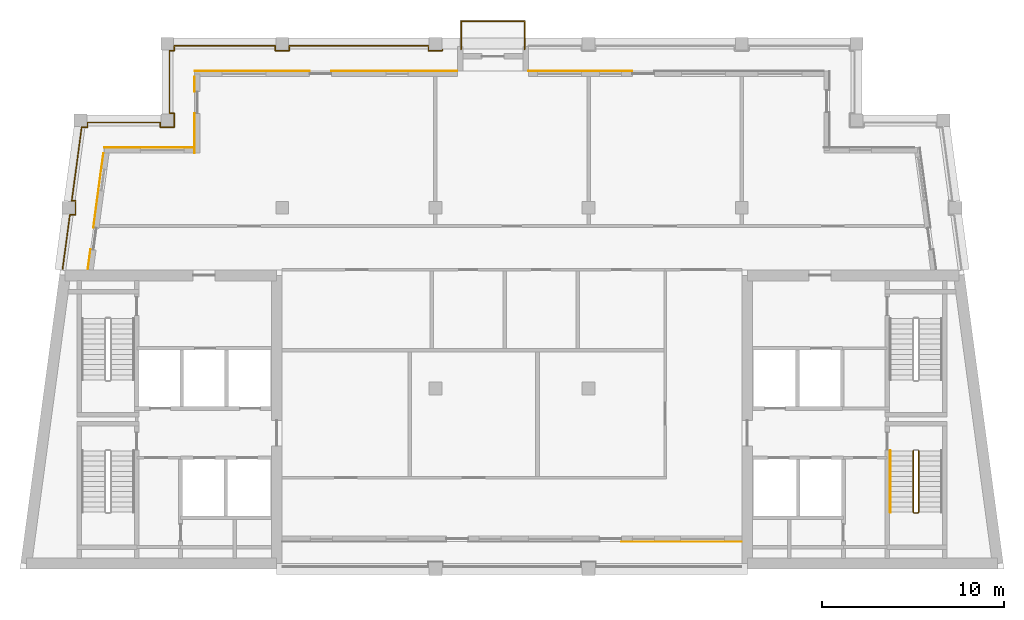
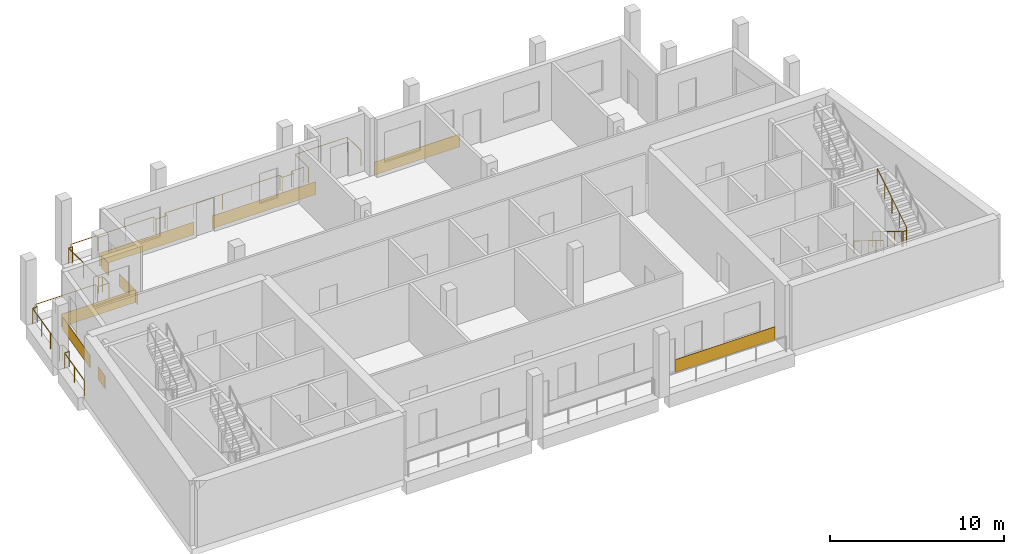
# One storey, part 7 of 8: 9 coverings, 5 railings.
"""IFC4 building model written with IfcOpenShell, lengths in metres."""

import ifcopenshell
import ifcopenshell.guid

model = None  # the IFC model being written
_history = None  # IfcOwnerHistory: only IFC2X3 demands one
_inside = {}  # id of a spatial element -> (the spatial element, [elements in it])
_under = {}  # id of a project, library or spatial element -> (it, [spatial elements below it])
_declared = {}  # id of a project -> (the project, [libraries it declares])
_typed = {}  # id of a type object -> (the type object, [elements of that type])
_made_of = {}  # id of a material, layer set ... -> (it, [elements and type objects made of it])


def new_model(schema):
    """Start an empty IFC model of exactly this schema.

    Asked for "IFC4X3", IfcOpenShell would pick the latest addendum, in which some entities
    have other attributes; the version numbers below select the first issue.
    IFC2X3 requires an IfcOwnerHistory on every rooted entity: one is made here for all.
    """
    global model, _history
    if schema == "IFC4X3":
        model = ifcopenshell.file(schema_version=(4, 3, 0, 0))
    else:
        model = ifcopenshell.file(schema=schema)
    _inside.clear()
    _under.clear()
    _declared.clear()
    _typed.clear()
    _made_of.clear()
    _history = None
    if model.schema == "IFC2X3":
        org = make("IfcOrganization", Name="unknown")
        user = make(
            "IfcPersonAndOrganization",
            ThePerson=make("IfcPerson", FamilyName="unknown"),
            TheOrganization=org,
        )
        app = make(
            "IfcApplication",
            ApplicationDeveloper=org,
            Version="unknown",
            ApplicationFullName="unknown",
            ApplicationIdentifier="unknown",
        )
        _history = make(
            "IfcOwnerHistory",
            OwningUser=user,
            OwningApplication=app,
            ChangeAction="ADDED",
            CreationDate=0,
        )
    return model


def make(cls, **values):
    """One entity of the class cls with the attributes given. An attribute that is None is left unset."""
    return model.create_entity(
        cls, **{name: value for name, value in values.items() if value is not None}
    )


def rooted(cls, **values):
    """An entity with a GlobalId (a new one), such as an element, a storey or a relation."""
    return make(cls, GlobalId=ifcopenshell.guid.new(), OwnerHistory=_history, **values)


def si_unit(unit_type, name, prefix=None):
    """IfcSIUnit, for example si_unit("LENGTHUNIT", "METRE", prefix="MILLI")."""
    return make("IfcSIUnit", UnitType=unit_type, Prefix=prefix, Name=name)


def assignment(units):
    """IfcUnitAssignment: the units of a project."""
    return None if units is None else make("IfcUnitAssignment", Units=units)


def point(xyz):
    """IfcCartesianPoint."""
    return None if xyz is None else make("IfcCartesianPoint", Coordinates=xyz)


def direction(xyz):
    """IfcDirection."""
    return None if xyz is None else make("IfcDirection", DirectionRatios=xyz)


def frame(location, z_axis=None, x_axis=None):
    """IfcAxis2Placement3D, a coordinate frame: its origin and axes. An axis left out is left unset."""
    return make(
        "IfcAxis2Placement3D",
        Location=point(location),
        Axis=direction(z_axis),
        RefDirection=direction(x_axis),
    )


def frame_2d(location, x_axis=None):
    """IfcAxis2Placement2D, a coordinate frame in the plane: its origin and x axis."""
    return make(
        "IfcAxis2Placement2D", Location=point(location), RefDirection=direction(x_axis)
    )


def origin():
    """The frame at (0, 0, 0) with its axes left unset."""
    return frame((0.0, 0.0, 0.0))


def origin_2d():
    """The frame at (0, 0) in the plane with its x axis left unset."""
    return frame_2d((0.0, 0.0))


def place(relative_to, where):
    """IfcLocalPlacement: puts the frame where relative to a parent placement (None: the world)."""
    return make(
        "IfcLocalPlacement", PlacementRelTo=relative_to, RelativePlacement=where
    )


def context(
    kind, dimensions, precision=None, world=None, true_north=None, identifier=None
):
    """IfcGeometricRepresentationContext, for example the 3D "Model" context."""
    return make(
        "IfcGeometricRepresentationContext",
        ContextIdentifier=identifier,
        ContextType=kind,
        CoordinateSpaceDimension=dimensions,
        Precision=precision,
        WorldCoordinateSystem=world,
        TrueNorth=true_north,
    )


def subcontext(parent, identifier, kind, view, scale=None):
    """IfcGeometricRepresentationSubContext, for example "Body" below "Model"."""
    return make(
        "IfcGeometricRepresentationSubContext",
        ContextIdentifier=identifier,
        ContextType=kind,
        ParentContext=parent,
        TargetScale=scale,
        TargetView=view,
    )


def project(units=None, contexts=None):
    """IfcProject with its units and contexts."""
    return rooted(
        "IfcProject",
        Name="project",
        RepresentationContexts=contexts,
        UnitsInContext=assignment(units),
    )


def spatial(cls, under=None, at=None, **own):
    """A site, building, storey or space (cls), placed at a placement, below another one or the project."""
    s = rooted(cls, ObjectPlacement=at, **own)
    if under is not None:
        _under.setdefault(under.id(), (under, []))[1].append(s)
    return s


def profile(cls, at=None, kind="AREA", **sizes):
    """A parametric profile (cls). Its sizes go by their IFC names, for example OverallWidth=200.0."""
    return make(cls, ProfileType=kind, Position=at, **sizes)


def rectangle(**sizes):
    """IfcRectangleProfileDef."""
    return profile("IfcRectangleProfileDef", **sizes)


def circle(**sizes):
    """IfcCircleProfileDef."""
    return profile("IfcCircleProfileDef", **sizes)


def extrude(swept, where, along, depth):
    """IfcExtrudedAreaSolid: the profile swept, set in the frame where, extruded along a direction by depth."""
    return make(
        "IfcExtrudedAreaSolid",
        SweptArea=swept,
        Position=where,
        ExtrudedDirection=direction(along),
        Depth=depth,
    )


def shape(context_of_items, identifier, shape_type, items):
    """IfcShapeRepresentation: the items that make up one representation, for example the "Body"."""
    return make(
        "IfcShapeRepresentation",
        ContextOfItems=context_of_items,
        RepresentationIdentifier=identifier,
        RepresentationType=shape_type,
        Items=items,
    )


def material(Name=None, Category=None):
    """IfcMaterial."""
    return make("IfcMaterial", Name=Name, Category=Category)


def layer(
    of_material, thickness, ventilated=None, Name=None, Category=None, Priority=None
):
    """IfcMaterialLayer: one layer of a wall or slab, of a material (None: an air gap)."""
    return make(
        "IfcMaterialLayer",
        Material=of_material,
        LayerThickness=thickness,
        IsVentilated=ventilated,
        Name=Name,
        Category=Category,
        Priority=Priority,
    )


def layer_set(layers, Name=None):
    """IfcMaterialLayerSet."""
    return make("IfcMaterialLayerSet", MaterialLayers=layers, LayerSetName=Name)


def made_of(thing, what):
    """Note that an element or type object is made of a material, layer set ...; save() writes the relation."""
    if what is not None:
        _made_of.setdefault(what.id(), (what, []))[1].append(thing)
    return thing


def type_object(cls, material=None, **own):
    """A type object (cls), such as IfcWallType, which elements share."""
    return made_of(rooted(cls, **own), material)


def element(
    cls,
    number,
    at=None,
    inside=None,
    cuts=None,
    type_object=None,
    material=None,
    context=None,
    identifier="Body",
    shape_type=None,
    held_by="IfcProductDefinitionShape",
    body=None,
    shapes=None,
    **own,
):
    """One element of the class cls, such as IfcWall. Its Tag is "e" and its number.

    at: its placement. inside: the storey or other place that contains it. cuts: it is an
    opening in that element (IfcRelVoidsElement). A single representation is given by context,
    identifier, shape_type and body (its items); several are given by shapes. held_by: the class
    of the entity that holds the representations. save() writes the other relations.
    """
    e = rooted(cls, Tag="e%d" % number, ObjectPlacement=at, **own)
    if body is not None:
        shapes = [shape(context, identifier, shape_type, body)]
    if shapes is not None:
        e.Representation = make(held_by, Representations=shapes)
    if inside is not None:
        _inside.setdefault(inside.id(), (inside, []))[1].append(e)
    if cuts is not None:
        rooted(
            "IfcRelVoidsElement", RelatingBuildingElement=cuts, RelatedOpeningElement=e
        )
    if type_object is not None:
        _typed.setdefault(type_object.id(), (type_object, []))[1].append(e)
    return made_of(e, material)


def aggregate(whole, parts):
    """IfcRelAggregates: a whole, such as a stair, and the parts it consists of."""
    return rooted("IfcRelAggregates", RelatingObject=whole, RelatedObjects=parts)


def save(model, path):
    """Write the relations noted so far, then the file.

    IfcRelAggregates (storeys below a building ...), IfcRelContainedInSpatialStructure (elements
    in a storey), IfcRelDefinesByType, IfcRelAssociatesMaterial and IfcRelDeclares: one each for
    every whole, place, type object, material and project.
    """
    for whole, parts in _under.values():
        aggregate(whole, parts)
    for where, things in _inside.values():
        rooted(
            "IfcRelContainedInSpatialStructure",
            RelatedElements=things,
            RelatingStructure=where,
        )
    for kind, things in _typed.values():
        rooted("IfcRelDefinesByType", RelatedObjects=things, RelatingType=kind)
    for what, things in _made_of.values():
        rooted("IfcRelAssociatesMaterial", RelatedObjects=things, RelatingMaterial=what)
    for by, libraries in _declared.values():
        rooted("IfcRelDeclares", RelatingContext=by, RelatedDefinitions=libraries)
    model.write(path)


model = new_model("IFC4")

# Units and contexts
model_context = context("Model", 3, precision=1e-05, world=origin(), true_north=direction((0.0, 1.0)))
body_context = subcontext(model_context, "Body", "Model", "MODEL_VIEW")
ifc_project = project(units=[si_unit("LENGTHUNIT", "METRE"), si_unit("AREAUNIT", "SQUARE_METRE"), si_unit("VOLUMEUNIT", "CUBIC_METRE"), si_unit("PLANEANGLEUNIT", "RADIAN"), si_unit("MASSUNIT", "GRAM", prefix="KILO")], contexts=[model_context])

# Site, building, storey
site_placement = place(None, origin())
site = spatial("IfcSite", under=ifc_project, at=site_placement, CompositionType="ELEMENT")
building_placement = place(site_placement, origin())
building = spatial("IfcBuilding", under=site, at=building_placement, Name="Candeia Pilgrim Tower and Theatre", CompositionType="ELEMENT")
storey_placement = place(building_placement, frame((0.0, 0.0, 315.39990234375)))
storey = spatial("IfcBuildingStorey", under=building, at=storey_placement, Name="L76", CompositionType="ELEMENT", Elevation=315.39990234375)

# Railings
ifc_material_1 = material(Name="Stainless steel balustrade", Category="steel")
railing_type_1 = type_object("IfcRailingType", Name="G1 loggia guard 1100", PredefinedType="GUARDRAIL", material=ifc_material_1)
railing_1_placement = place(storey_placement, frame((94.1201171875, 140.47998046875, 0.0)))
element("IfcRailing", 1, at=railing_1_placement, inside=storey, type_object=railing_type_1, Name="Guard L76.1", PredefinedType="GUARDRAIL", context=body_context, shape_type="SweptSolid", body=[
    extrude(circle(Radius=0.02392578125, at=origin_2d()), frame((0.0, 0.0, 1.076171875), z_axis=(0.0, -1.0, 0.0), x_axis=(1.0, 0.0, 0.0)), (0.0, 0.0, 1.0), 0.260009765625),
    extrude(circle(Radius=0.02392578125, at=origin_2d()), frame((0.0, -0.260009765625, 1.076171875), z_axis=(1.0, 0.0, 0.0), x_axis=(0.0, 1.0, 0.0)), (0.0, 0.0, 1.0), 0.759765625),
    extrude(circle(Radius=0.02392578125, at=origin_2d()), frame((0.759765625, -0.260009765625, 1.076171875), z_axis=(0.0, 1.0, 0.0), x_axis=(-1.0, 0.0, 0.0)), (0.0, 0.0, 1.0), 0.760009765625),
    extrude(circle(Radius=0.02392578125, at=origin_2d()), frame((0.759765625, 0.5, 1.076171875), z_axis=(-1.0, 0.0, 0.0), x_axis=(0.0, -1.0, 0.0)), (0.0, 0.0, 1.0), 0.259765625),
    extrude(circle(Radius=0.02392578125, at=origin_2d()), frame((0.5, 0.5, 1.076171875), z_axis=(0.0, 1.0, 0.0), x_axis=(-1.0, 0.0, 0.0)), (0.0, 0.0, 1.0), 3.43994140625),
    extrude(circle(Radius=0.02392578125, at=origin_2d()), frame((0.5, 3.93994140625, 1.076171875), z_axis=(1.0, 0.0, 0.0), x_axis=(0.0, 1.0, 0.0)), (0.0, 0.0, 1.0), 0.259765625),
    extrude(circle(Radius=0.02392578125, at=origin_2d()), frame((0.759765625, 3.93994140625, 1.076171875), z_axis=(0.0, 1.0, 0.0), x_axis=(-1.0, 0.0, 0.0)), (0.0, 0.0, 1.0), 0.260009765625),
    extrude(circle(Radius=0.02392578125, at=origin_2d()), frame((0.759765625, 4.199951171875, 1.076171875), z_axis=(1.0, 0.0, 0.0), x_axis=(0.0, 1.0, 0.0)), (0.0, 0.0, 1.0), 5.5400390625),
    extrude(circle(Radius=0.02392578125, at=origin_2d()), frame((6.2998046875, 4.199951171875, 1.076171875), z_axis=(0.0, -1.0, 0.0), x_axis=(1.0, 0.0, 0.0)), (0.0, 0.0, 1.0), 0.260009765625),
    extrude(circle(Radius=0.02392578125, at=origin_2d()), frame((6.2998046875, 3.93994140625, 1.076171875), z_axis=(1.0, 0.0, 0.0), x_axis=(0.0, 1.0, 0.0)), (0.0, 0.0, 1.0), 0.760009765625),
    extrude(circle(Radius=0.02392578125, at=origin_2d()), frame((7.059814453125, 3.93994140625, 1.076171875), z_axis=(0.0, 1.0, 0.0), x_axis=(-1.0, 0.0, 0.0)), (0.0, 0.0, 1.0), 0.260009765625),
    extrude(circle(Radius=0.02392578125, at=origin_2d()), frame((7.059814453125, 4.199951171875, 1.076171875), z_axis=(1.0, 0.0, 0.0), x_axis=(0.0, 1.0, 0.0)), (0.0, 0.0, 1.0), 7.64013671875),
    extrude(circle(Radius=0.02392578125, at=origin_2d()), frame((14.699951171875, 4.199951171875, 1.076171875), z_axis=(0.0, -1.0, 0.0), x_axis=(1.0, 0.0, 0.0)), (0.0, 0.0, 1.0), 0.260009765625),
    extrude(circle(Radius=0.02392578125, at=origin_2d()), frame((14.699951171875, 3.93994140625, 1.076171875), z_axis=(1.0, 0.0, 0.0), x_axis=(0.0, 1.0, 0.0)), (0.0, 0.0, 1.0), 0.760009765625),
    extrude(circle(Radius=0.02392578125, at=origin_2d()), frame((15.4599609375, 3.93994140625, 1.076171875), z_axis=(0.0, 1.0, 0.0), x_axis=(-1.0, 0.0, 0.0)), (0.0, 0.0, 1.0), 0.260009765625),
    extrude(circle(Radius=0.02392578125, at=origin_2d()), frame((15.4599609375, 4.199951171875, 1.076171875), z_axis=(1.0, 0.0, 0.0), x_axis=(0.0, 1.0, 0.0)), (0.0, 0.0, 1.0), 0.81982421875),
    extrude(circle(Radius=0.02099609375, at=origin_2d()), origin(), (0.0, 0.0, 1.0), 1.052001953125),
    extrude(circle(Radius=0.02099609375, at=origin_2d()), frame((0.0, -0.260009765625, 0.0)), (0.0, 0.0, 1.0), 1.052001953125),
    extrude(circle(Radius=0.02099609375, at=origin_2d()), frame((0.759765625, -0.260009765625, 0.0)), (0.0, 0.0, 1.0), 1.052001953125),
    extrude(circle(Radius=0.02099609375, at=origin_2d()), frame((0.759765625, 0.5, 0.0)), (0.0, 0.0, 1.0), 1.052001953125),
    extrude(circle(Radius=0.02099609375, at=origin_2d()), frame((0.5, 0.5, 0.0)), (0.0, 0.0, 1.0), 1.052001953125),
    extrude(circle(Radius=0.02099609375, at=origin_2d()), frame((0.5, 2.219970703125, 0.0)), (0.0, 0.0, 1.0), 1.052001953125),
    extrude(circle(Radius=0.02099609375, at=origin_2d()), frame((0.5, 3.93994140625, 0.0)), (0.0, 0.0, 1.0), 1.052001953125),
    extrude(circle(Radius=0.02099609375, at=origin_2d()), frame((0.759765625, 3.93994140625, 0.0)), (0.0, 0.0, 1.0), 1.052001953125),
    extrude(circle(Radius=0.02099609375, at=origin_2d()), frame((0.759765625, 4.199951171875, 0.0)), (0.0, 0.0, 1.0), 1.052001953125),
    extrude(circle(Radius=0.02099609375, at=origin_2d()), frame((2.6064453125, 4.199951171875, 0.0)), (0.0, 0.0, 1.0), 1.052001953125),
    extrude(circle(Radius=0.02099609375, at=origin_2d()), frame((4.453125, 4.199951171875, 0.0)), (0.0, 0.0, 1.0), 1.052001953125),
    extrude(circle(Radius=0.02099609375, at=origin_2d()), frame((6.2998046875, 4.199951171875, 0.0)), (0.0, 0.0, 1.0), 1.052001953125),
    extrude(circle(Radius=0.02099609375, at=origin_2d()), frame((6.2998046875, 3.93994140625, 0.0)), (0.0, 0.0, 1.0), 1.052001953125),
    extrude(circle(Radius=0.02099609375, at=origin_2d()), frame((7.059814453125, 3.93994140625, 0.0)), (0.0, 0.0, 1.0), 1.052001953125),
    extrude(circle(Radius=0.02099609375, at=origin_2d()), frame((7.059814453125, 4.199951171875, 0.0)), (0.0, 0.0, 1.0), 1.052001953125),
    extrude(circle(Radius=0.02099609375, at=origin_2d()), frame((8.9697265625, 4.199951171875, 0.0)), (0.0, 0.0, 1.0), 1.052001953125),
    extrude(circle(Radius=0.02099609375, at=origin_2d()), frame((10.8798828125, 4.199951171875, 0.0)), (0.0, 0.0, 1.0), 1.052001953125),
    extrude(circle(Radius=0.02099609375, at=origin_2d()), frame((12.7900390625, 4.199951171875, 0.0)), (0.0, 0.0, 1.0), 1.052001953125),
    extrude(circle(Radius=0.02099609375, at=origin_2d()), frame((14.699951171875, 4.199951171875, 0.0)), (0.0, 0.0, 1.0), 1.052001953125),
    extrude(circle(Radius=0.02099609375, at=origin_2d()), frame((14.699951171875, 3.93994140625, 0.0)), (0.0, 0.0, 1.0), 1.052001953125),
    extrude(circle(Radius=0.02099609375, at=origin_2d()), frame((15.4599609375, 3.93994140625, 0.0)), (0.0, 0.0, 1.0), 1.052001953125),
    extrude(circle(Radius=0.02099609375, at=origin_2d()), frame((15.4599609375, 4.199951171875, 0.0)), (0.0, 0.0, 1.0), 1.052001953125),
    extrude(circle(Radius=0.02099609375, at=origin_2d()), frame((16.27978515625, 4.199951171875, 0.0)), (0.0, 0.0, 1.0), 1.052001953125),
])
railing_2_placement = place(storey_placement, frame((88.758544921875, 132.449951171875, 0.0)))
element("IfcRailing", 2, at=railing_2_placement, inside=storey, type_object=railing_type_1, Name="Guard L76.4", PredefinedType="GUARDRAIL", context=body_context, shape_type="SweptSolid", body=[
    extrude(circle(Radius=0.02392578125, at=origin_2d()), frame((0.0, 0.0, 1.076171875), z_axis=(0.133444326958, 0.991056311015, 0.0), x_axis=(-0.991056311015, 0.133444326958, 0.0)), (0.0, 0.0, 1.0), 2.996826171875),
    extrude(circle(Radius=0.02392578125, at=origin_2d()), frame((0.39990234375, 2.969970703125, 1.076171875), z_axis=(1.0, 0.0, 0.0), x_axis=(0.0, 1.0, 0.0)), (0.0, 0.0, 1.0), 0.31005859375),
    extrude(circle(Radius=0.02392578125, at=origin_2d()), frame((0.7099609375, 2.969970703125, 1.076171875), z_axis=(0.0, 1.0, 0.0), x_axis=(-1.0, 0.0, 0.0)), (0.0, 0.0, 1.0), 0.760009765625),
    extrude(circle(Radius=0.02392578125, at=origin_2d()), frame((0.7099609375, 3.72998046875, 1.076171875), z_axis=(-1.0, 0.0, 0.0), x_axis=(0.0, -1.0, 0.0)), (0.0, 0.0, 1.0), 0.207763671875),
    extrude(circle(Radius=0.02392578125, at=origin_2d()), frame((0.502197265625, 3.72998046875, 1.076171875), z_axis=(0.133375812436, 0.991065533987, 0.0), x_axis=(-0.991065533987, 0.133375812436, 0.0)), (0.0, 0.0, 1.0), 4.076416015625),
    extrude(circle(Radius=0.02392578125, at=origin_2d()), frame((1.0458984375, 7.77001953125, 1.076171875), z_axis=(1.0, 0.0, 0.0), x_axis=(0.0, 1.0, 0.0)), (0.0, 0.0, 1.0), 0.31005859375),
    extrude(circle(Radius=0.02392578125, at=origin_2d()), frame((1.35595703125, 7.77001953125, 1.076171875), z_axis=(0.0, 1.0, 0.0), x_axis=(-1.0, 0.0, 0.0)), (0.0, 0.0, 1.0), 0.260009765625),
    extrude(circle(Radius=0.02392578125, at=origin_2d()), frame((1.35595703125, 8.030029296875, 1.076171875), z_axis=(1.0, 0.0, 0.0), x_axis=(0.0, 1.0, 0.0)), (0.0, 0.0, 1.0), 4.005615234375),
    extrude(circle(Radius=0.02099609375, at=origin_2d()), origin(), (0.0, 0.0, 1.0), 1.052001953125),
    extrude(circle(Radius=0.02099609375, at=origin_2d()), frame((0.199951171875, 1.48486328125, 0.0)), (0.0, 0.0, 1.0), 1.052001953125),
    extrude(circle(Radius=0.02099609375, at=origin_2d()), frame((0.39990234375, 2.969970703125, 0.0)), (0.0, 0.0, 1.0), 1.052001953125),
    extrude(circle(Radius=0.02099609375, at=origin_2d()), frame((0.7099609375, 2.969970703125, 0.0)), (0.0, 0.0, 1.0), 1.052001953125),
    extrude(circle(Radius=0.02099609375, at=origin_2d()), frame((0.7099609375, 3.72998046875, 0.0)), (0.0, 0.0, 1.0), 1.052001953125),
    extrude(circle(Radius=0.02099609375, at=origin_2d()), frame((0.502197265625, 3.72998046875, 0.0)), (0.0, 0.0, 1.0), 1.052001953125),
    extrude(circle(Radius=0.02099609375, at=origin_2d()), frame((0.683349609375, 5.07666015625, 0.0)), (0.0, 0.0, 1.0), 1.052001953125),
    extrude(circle(Radius=0.02099609375, at=origin_2d()), frame((0.86474609375, 6.42333984375, 0.0)), (0.0, 0.0, 1.0), 1.052001953125),
    extrude(circle(Radius=0.02099609375, at=origin_2d()), frame((1.0458984375, 7.77001953125, 0.0)), (0.0, 0.0, 1.0), 1.052001953125),
    extrude(circle(Radius=0.02099609375, at=origin_2d()), frame((1.35595703125, 7.77001953125, 0.0)), (0.0, 0.0, 1.0), 1.052001953125),
    extrude(circle(Radius=0.02099609375, at=origin_2d()), frame((1.35595703125, 8.030029296875, 0.0)), (0.0, 0.0, 1.0), 1.052001953125),
    extrude(circle(Radius=0.02099609375, at=origin_2d()), frame((2.691162109375, 8.030029296875, 0.0)), (0.0, 0.0, 1.0), 1.052001953125),
    extrude(circle(Radius=0.02099609375, at=origin_2d()), frame((4.0263671875, 8.030029296875, 0.0)), (0.0, 0.0, 1.0), 1.052001953125),
    extrude(circle(Radius=0.02099609375, at=origin_2d()), frame((5.361572265625, 8.030029296875, 0.0)), (0.0, 0.0, 1.0), 1.052001953125),
])
railing_3_placement = place(storey_placement, frame((110.610107421875, 144.5, 0.0)))
element("IfcRailing", 3, at=railing_3_placement, inside=storey, type_object=railing_type_1, Name="Balcony guard L76", PredefinedType="GUARDRAIL", context=body_context, shape_type="SweptSolid", body=[
    extrude(circle(Radius=0.02392578125, at=origin_2d()), frame((0.0, 0.0, 1.076171875), z_axis=(0.0, 1.0, 0.0), x_axis=(-1.0, 0.0, 0.0)), (0.0, 0.0, 1.0), 1.5400390625),
    extrude(circle(Radius=0.02392578125, at=origin_2d()), frame((0.0, 1.5400390625, 1.076171875), z_axis=(1.0, 0.0, 0.0), x_axis=(0.0, 1.0, 0.0)), (0.0, 0.0, 1.0), 3.47998046875),
    extrude(circle(Radius=0.02392578125, at=origin_2d()), frame((3.47998046875, 1.5400390625, 1.076171875), z_axis=(0.0, -1.0, 0.0), x_axis=(1.0, 0.0, 0.0)), (0.0, 0.0, 1.0), 1.5400390625),
    extrude(circle(Radius=0.02099609375, at=origin_2d()), origin(), (0.0, 0.0, 1.0), 1.052001953125),
    extrude(circle(Radius=0.02099609375, at=origin_2d()), frame((0.0, 1.5400390625, 0.0)), (0.0, 0.0, 1.0), 1.052001953125),
    extrude(circle(Radius=0.02099609375, at=origin_2d()), frame((1.739990234375, 1.5400390625, 0.0)), (0.0, 0.0, 1.0), 1.052001953125),
    extrude(circle(Radius=0.02099609375, at=origin_2d()), frame((3.47998046875, 1.5400390625, 0.0)), (0.0, 0.0, 1.0), 1.052001953125),
    extrude(circle(Radius=0.02099609375, at=origin_2d()), frame((3.47998046875, 0.0, 0.0)), (0.0, 0.0, 1.0), 1.052001953125),
])

# Coverings
ifc_material_2 = material(Name="Glazed ceramic tile bottle green")
ifc_layer = layer(ifc_material_2, 0.02001953125)
ifc_layer_set = layer_set([ifc_layer], Name="Glazed ceramic tile bottle green")
covering_type = type_object("IfcCoveringType", Name="Glazed ceramic tile bottle green", PredefinedType="CLADDING", material=ifc_layer_set)
covering_1_placement = place(storey_placement, frame((90.720947265625, 136.759521484375, 0.000244140625), z_axis=(0.0, 0.0, 1.0), x_axis=(-0.133412012145, -0.991060661622, 0.0)))
element("IfcCovering", 4, at=covering_1_placement, inside=storey, type_object=covering_type, Name="Tile cladding bottle green L76", PredefinedType="CLADDING", context=body_context, shape_type="SweptSolid", body=[
    extrude(rectangle(XDim=4.123779296875, YDim=0.02001953125, at=origin_2d()), origin(), (0.0, 0.0, 1.0), 0.89990234375),
])
covering_2_placement = place(storey_placement, frame((90.21142578125, 132.97412109375, 0.000244140625), z_axis=(0.0, 0.0, 1.0), x_axis=(-0.133412012145, -0.991060661622, 0.0)))
element("IfcCovering", 5, at=covering_2_placement, inside=storey, type_object=covering_type, Name="Tile cladding bottle green L76", PredefinedType="CLADDING", context=body_context, shape_type="SweptSolid", body=[
    extrude(rectangle(XDim=1.115234375, YDim=0.02001953125, at=origin_2d()), origin(), (0.0, 0.0, 1.0), 0.89990234375),
])
covering_3_placement = place(storey_placement, frame((122.699951171875, 117.489990234375, 0.000244140625), z_axis=(0.0, 0.0, 1.0), x_axis=(1.0, 0.0, 0.0)))
element("IfcCovering", 6, at=covering_3_placement, inside=storey, type_object=covering_type, Name="Tile cladding bottle green L76", PredefinedType="CLADDING", context=body_context, shape_type="SweptSolid", body=[
    extrude(rectangle(XDim=6.60009765625, YDim=0.02001953125, at=origin_2d()), origin(), (0.0, 0.0, 1.0), 0.89990234375),
])
covering_4_placement = place(storey_placement, frame((117.14990234375, 143.31005859375, 0.000244140625), z_axis=(0.0, 0.0, 1.0), x_axis=(-1.0, 0.0, 0.0)))
element("IfcCovering", 7, at=covering_4_placement, inside=storey, type_object=covering_type, Name="Tile cladding bottle green L76", PredefinedType="CLADDING", context=body_context, shape_type="SweptSolid", body=[
    extrude(rectangle(XDim=5.699951171875, YDim=0.02001953125, at=origin_2d()), origin(), (0.0, 0.0, 1.0), 0.89990234375),
])
covering_5_placement = place(storey_placement, frame((106.949951171875, 143.31005859375, 0.000244140625), z_axis=(0.0, 0.0, 1.0), x_axis=(-1.0, 0.0, 0.0)))
element("IfcCovering", 8, at=covering_5_placement, inside=storey, type_object=covering_type, Name="Tile cladding bottle green L76", PredefinedType="CLADDING", context=body_context, shape_type="SweptSolid", body=[
    extrude(rectangle(XDim=6.89990234375, YDim=0.02001953125, at=origin_2d()), origin(), (0.0, 0.0, 1.0), 0.89990234375),
])
covering_6_placement = place(storey_placement, frame((99.14990234375, 143.31005859375, 0.000244140625), z_axis=(0.0, 0.0, 1.0), x_axis=(-1.0, 0.0, 0.0)))
element("IfcCovering", 9, at=covering_6_placement, inside=storey, type_object=covering_type, Name="Tile cladding bottle green L76", PredefinedType="CLADDING", context=body_context, shape_type="SweptSolid", body=[
    extrude(rectangle(XDim=6.300048828125, YDim=0.02001953125, at=origin_2d()), origin(), (0.0, 0.0, 1.0), 0.89990234375),
])
covering_7_placement = place(storey_placement, frame((95.989990234375, 142.577392578125, 0.000244140625), z_axis=(0.0, 0.0, 1.0), x_axis=(0.0, -1.0, 0.0)))
element("IfcCovering", 10, at=covering_7_placement, inside=storey, type_object=covering_type, Name="Tile cladding bottle green L76", PredefinedType="CLADDING", context=body_context, shape_type="SweptSolid", body=[
    extrude(rectangle(XDim=0.804931640625, YDim=0.02001953125, at=origin_2d()), origin(), (0.0, 0.0, 1.0), 0.89990234375),
])
covering_8_placement = place(storey_placement, frame((95.989990234375, 139.887451171875, 0.000244140625), z_axis=(0.0, 0.0, 1.0), x_axis=(0.0, -1.0, 0.0)))
element("IfcCovering", 11, at=covering_8_placement, inside=storey, type_object=covering_type, Name="Tile cladding bottle green L76", PredefinedType="CLADDING", context=body_context, shape_type="SweptSolid", body=[
    extrude(rectangle(XDim=2.175048828125, YDim=0.02001953125, at=origin_2d()), origin(), (0.0, 0.0, 1.0), 0.89990234375),
])
covering_9_placement = place(storey_placement, frame((93.51318359375, 139.110107421875, 0.000244140625), z_axis=(0.0, 0.0, 1.0), x_axis=(-1.0, 0.0, 0.0)))
element("IfcCovering", 12, at=covering_9_placement, inside=storey, type_object=covering_type, Name="Tile cladding bottle green L76", PredefinedType="CLADDING", context=body_context, shape_type="SweptSolid", body=[
    extrude(rectangle(XDim=4.933837890625, YDim=0.02001953125, at=origin_2d()), origin(), (0.0, 0.0, 1.0), 0.89990234375),
])

# Railings
railing_type_2 = type_object("IfcRailingType", Name="RL-GUARD-1100", PredefinedType="GUARDRAIL", material=ifc_material_1)
railing_4_placement = place(storey_placement, frame((135.39794921875, 122.47509765625, 0.173095703125)))
element("IfcRailing", 13, at=railing_4_placement, inside=storey, type_object=railing_type_2, Name="L76 ST3 stair guard 1", PredefinedType="GUARDRAIL", context=body_context, shape_type="SweptSolid", body=[
    extrude(circle(Radius=0.02392578125, at=origin_2d()), frame((0.0, 0.0, 1.076171875), z_axis=(0.0, -0.850623216509, 0.525775754039), x_axis=(1.0, 0.0, 0.0)), (0.0, 0.0, 1.0), 3.9501953125),
    extrude(circle(Radius=0.02392578125, at=origin_2d()), frame((0.0, -3.360107421875, 3.15283203125), z_axis=(0.707106781187, -0.707106781187, 0.0), x_axis=(0.707106781187, 0.707106781187, 0.0)), (0.0, 0.0, 1.0), 0.07080078125),
    extrude(circle(Radius=0.02392578125, at=origin_2d()), frame((0.050048828125, -3.41015625, 3.15283203125), z_axis=(1.0, 0.0, 0.0), x_axis=(0.0, 1.0, 0.0)), (0.0, 0.0, 1.0), 0.199951171875),
    extrude(circle(Radius=0.02392578125, at=origin_2d()), frame((0.25, -3.41015625, 3.15283203125), z_axis=(0.267629722418, 0.267629722418, 0.925607186314), x_axis=(-0.707106781187, 0.707106781187, 0.0)), (0.0, 0.0, 1.0), 0.18701171875),
    extrude(circle(Radius=0.02392578125, at=origin_2d()), frame((0.300048828125, -3.360107421875, 3.326171875), z_axis=(0.0, 0.850623216509, 0.525775754039), x_axis=(-1.0, 0.0, 0.0)), (0.0, 0.0, 1.0), 3.9501953125),
    extrude(circle(Radius=0.02099609375, at=origin_2d()), origin(), (0.0, 0.0, 1.0), 1.052001953125),
    extrude(circle(Radius=0.02099609375, at=origin_2d()), frame((0.0, -0.840087890625, 0.519287109375)), (0.0, 0.0, 1.0), 1.052001953125),
    extrude(circle(Radius=0.02099609375, at=origin_2d()), frame((0.0, -1.68017578125, 1.03857421875)), (0.0, 0.0, 1.0), 1.052001953125),
    extrude(circle(Radius=0.02099609375, at=origin_2d()), frame((0.0, -2.52001953125, 1.5576171875)), (0.0, 0.0, 1.0), 1.052001953125),
    extrude(circle(Radius=0.02099609375, at=origin_2d()), frame((0.0, -3.360107421875, 2.076904296875)), (0.0, 0.0, 1.0), 1.052001953125),
    extrude(circle(Radius=0.02099609375, at=origin_2d()), frame((0.050048828125, -3.41015625, 2.076904296875)), (0.0, 0.0, 1.0), 1.052001953125),
    extrude(circle(Radius=0.02099609375, at=origin_2d()), frame((0.25, -3.41015625, 2.076904296875)), (0.0, 0.0, 1.0), 1.052001953125),
    extrude(circle(Radius=0.02099609375, at=origin_2d()), frame((0.300048828125, -3.360107421875, 2.25)), (0.0, 0.0, 1.0), 1.052001953125),
    extrude(circle(Radius=0.02099609375, at=origin_2d()), frame((0.300048828125, -2.52001953125, 2.769287109375)), (0.0, 0.0, 1.0), 1.052001953125),
    extrude(circle(Radius=0.02099609375, at=origin_2d()), frame((0.300048828125, -1.68017578125, 3.28857421875)), (0.0, 0.0, 1.0), 1.052001953125),
    extrude(circle(Radius=0.02099609375, at=origin_2d()), frame((0.300048828125, -0.840087890625, 3.8076171875)), (0.0, 0.0, 1.0), 1.052001953125),
    extrude(circle(Radius=0.02099609375, at=origin_2d()), frame((0.300048828125, 0.0, 4.326904296875)), (0.0, 0.0, 1.0), 1.052001953125),
])
ifc_material_3 = material(Name="Stainless steel handrail", Category="steel")
railing_type_3 = type_object("IfcRailingType", Name="RL-HANDRAIL-900", PredefinedType="HANDRAIL", material=ifc_material_3)
railing_5_placement = place(storey_placement, frame((134.14794921875, 122.47509765625, 0.173095703125)))
element("IfcRailing", 14, at=railing_5_placement, inside=storey, type_object=railing_type_3, Name="L76 ST3 stair handrail 1", PredefinedType="HANDRAIL", context=body_context, shape_type="SweptSolid", body=[
    extrude(circle(Radius=0.02392578125, at=origin_2d()), frame((0.0, 0.0, 0.8759765625), z_axis=(0.0, -0.850623216509, 0.525775754039), x_axis=(1.0, 0.0, 0.0)), (0.0, 0.0, 1.0), 3.9501953125),
    extrude(circle(Radius=0.02099609375, at=origin_2d()), origin(), (0.0, 0.0, 1.0), 0.851806640625),
    extrude(circle(Radius=0.02099609375, at=origin_2d()), frame((0.0, -0.840087890625, 0.519287109375)), (0.0, 0.0, 1.0), 0.851806640625),
    extrude(circle(Radius=0.02099609375, at=origin_2d()), frame((0.0, -1.68017578125, 1.03857421875)), (0.0, 0.0, 1.0), 0.851806640625),
    extrude(circle(Radius=0.02099609375, at=origin_2d()), frame((0.0, -2.52001953125, 1.5576171875)), (0.0, 0.0, 1.0), 0.851806640625),
    extrude(circle(Radius=0.02099609375, at=origin_2d()), frame((0.0, -3.360107421875, 2.076904296875)), (0.0, 0.0, 1.0), 0.851806640625),
])

save(model, "model.ifc")
